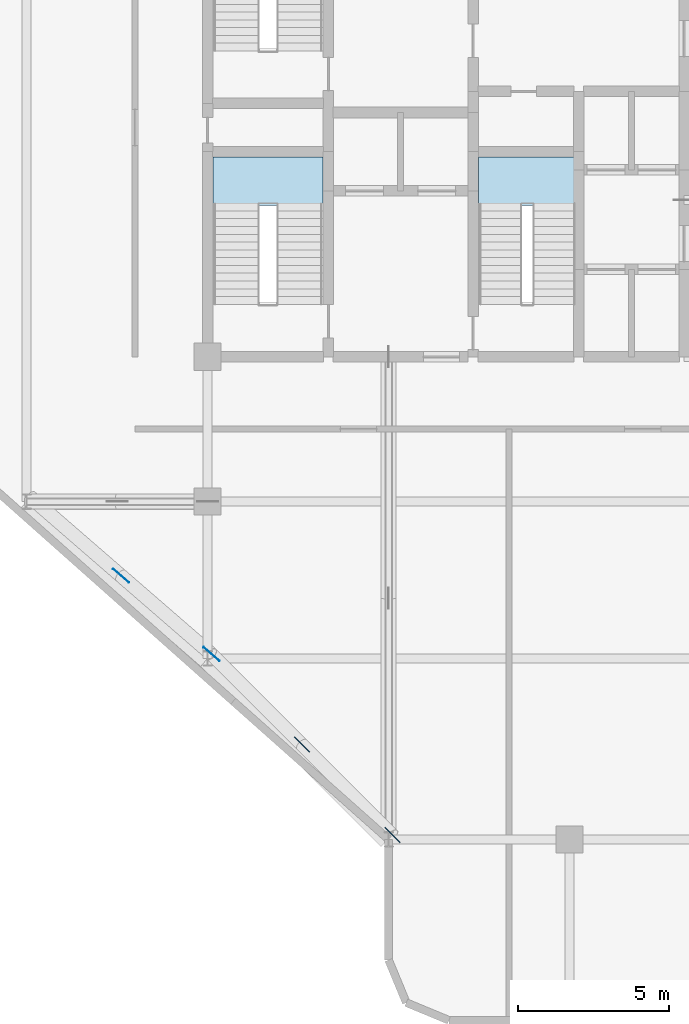
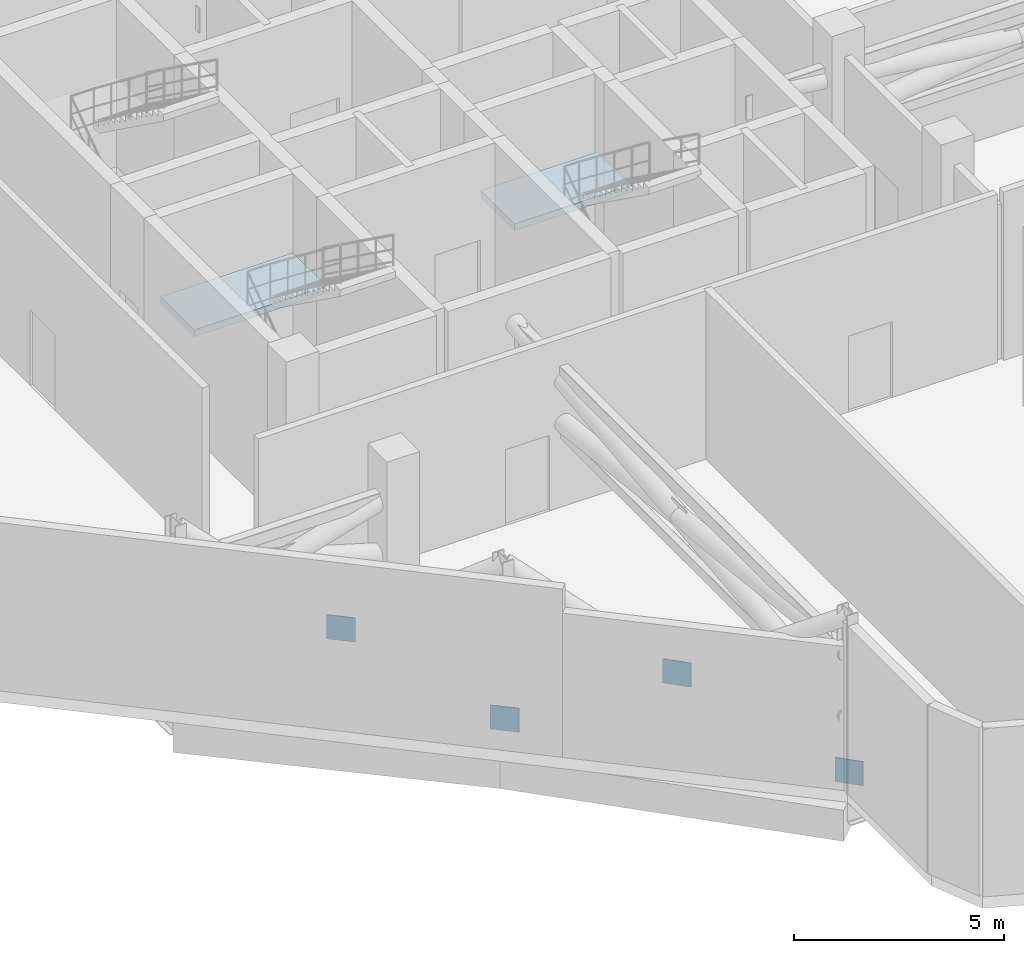
# One storey, part 6 of 12: 4 plates, 2 slabs, 2 elements without a shape of their own.
"""IFC4 building model written with IfcOpenShell, lengths in metres."""

from ifc_helpers import new_model, si_unit, direction, frame, origin, origin_2d, place, context, subcontext, project, spatial, polyline, rectangle, outline, extrude, material, layer, layer_set, type_object, element, aggregate, save


model = new_model("IFC4")

# Units and contexts
model_context = context("Model", 3, precision=1e-05, world=origin(), true_north=direction((0.0, 1.0)))
body_context = subcontext(model_context, "Body", "Model", "MODEL_VIEW")
ifc_project = project(units=[si_unit("LENGTHUNIT", "METRE"), si_unit("AREAUNIT", "SQUARE_METRE"), si_unit("VOLUMEUNIT", "CUBIC_METRE"), si_unit("PLANEANGLEUNIT", "RADIAN"), si_unit("MASSUNIT", "GRAM", prefix="KILO")], contexts=[model_context])

# Site, building, storey
site_placement = place(None, origin())
site = spatial("IfcSite", under=ifc_project, at=site_placement, CompositionType="ELEMENT")
building_placement = place(site_placement, origin())
building = spatial("IfcBuilding", under=site, at=building_placement, Name="Keshet Zoharim Tower", CompositionType="ELEMENT")
storey_placement = place(building_placement, frame((0.0, 0.0, 159.39990234375)))
storey = spatial("IfcBuildingStorey", under=building, at=storey_placement, Name="L39", CompositionType="ELEMENT", Elevation=159.39990234375)

# Plates
ifc_material_1 = material(Name="Steel S355", Category="steel")
ifc_layer_1 = layer(ifc_material_1, 0.02490234375)
ifc_layer_set_1 = layer_set([ifc_layer_1], Name="Steel S355")
plate_type = type_object("IfcPlateType", Name="PL-GUS-25", PredefinedType="SHEET", material=ifc_layer_set_1)
for number, where, z_axis, x_axis, name in (
    (1, (18.1259765625, 9.842041015625, 2.09521484375), (0.0, 0.0, 1.0), (-0.707106781187, 0.707106781187, 0.0), "L39 Belt Truss X-Crossing Gusset 05"),
    (2, (21.1259765625, 6.842041015625, 0.0), (0.0, 0.0, 1.0), (-0.707106781187, 0.707106781187, 0.0), "L39 Belt Truss Node Gusset 05"),
    (3, (12.1259765625, 15.44189453125, 2.09521484375), (0.0, 0.0, 1.0), (-0.75568908279, 0.654930538418, 0.0), "L39 Belt Truss X-Crossing Gusset 06"),
    (4, (15.1259765625, 12.842041015625, 0.0), (0.0, 0.0, 1.0), (-0.75568908279, 0.654930538418, 0.0), "L39 Belt Truss Node Gusset 06"),
):
    element("IfcPlate", number, at=place(storey_placement, frame(where, z_axis=z_axis, x_axis=x_axis)), inside=storey, type_object=plate_type, Name=name, PredefinedType="SHEET", context=body_context, shape_type="SweptSolid", body=[
        extrude(rectangle(XDim=0.699951171875, YDim=0.02490234375, at=origin_2d()), origin(), (0.0, 0.0, 1.0), 0.699951171875),
    ])

# Stair, slab
ifc_material_2 = material(Name="Concrete C50/60", Category="concrete")
stair_type = type_object("IfcStairType", Name="STR-EXIT-135", PredefinedType="HALF_TURN_STAIR", material=ifc_material_2)
stair_1_placement = place(storey_placement, origin())
stair_1 = element("IfcStair", 5, at=stair_1_placement, inside=storey, type_object=stair_type, Name="L39 Enclosed Exit Stair ST-01", PredefinedType="HALF_TURN_STAIR")
ifc_layer_2 = layer(ifc_material_2, 0.199951171875)
ifc_layer_set_2 = layer_set([ifc_layer_2], Name="Concrete C50/60")
slab_type = type_object("IfcSlabType", Name="SLB-LND-200", PredefinedType="LANDING", material=ifc_layer_set_2)
slab_1_placement = place(storey_placement, frame((0.0, 0.0, 2.400146484375)))
slab_1 = element("IfcSlab", 6, at=slab_1_placement, type_object=slab_type, Name="ST-01 landing 1", PredefinedType="LANDING", context=body_context, shape_type="SweptSolid", body=[
    extrude(outline(polyline([(15.179931640625, 27.714111328125), (18.820068359375, 27.714111328125), (18.820068359375, 29.320068359375), (15.179931640625, 29.320068359375), (15.179931640625, 27.714111328125)])), origin(), (0.0, 0.0, 1.0), 0.199951171875),
])
aggregate(stair_1, [slab_1])

stair_2_placement = place(storey_placement, origin())
stair_2 = element("IfcStair", 7, at=stair_2_placement, inside=storey, type_object=stair_type, Name="L39 Enclosed Exit Stair ST-03", PredefinedType="HALF_TURN_STAIR")
slab_2_placement = place(storey_placement, frame((0.0, 0.0, 2.400146484375)))
slab_2 = element("IfcSlab", 8, at=slab_2_placement, type_object=slab_type, Name="ST-03 landing 1", PredefinedType="LANDING", context=body_context, shape_type="SweptSolid", body=[
    extrude(outline(polyline([(23.97998046875, 27.714111328125), (27.219970703125, 27.714111328125), (27.219970703125, 29.320068359375), (23.97998046875, 29.320068359375), (23.97998046875, 27.714111328125)])), origin(), (0.0, 0.0, 1.0), 0.199951171875),
])
aggregate(stair_2, [slab_2])

save(model, "model.ifc")
